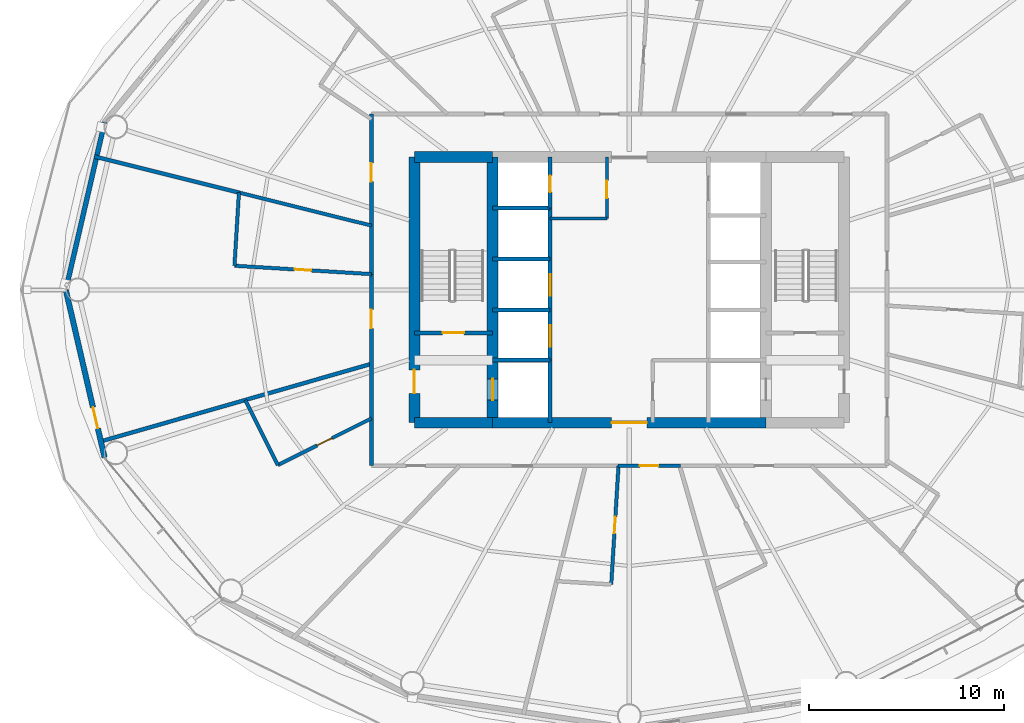
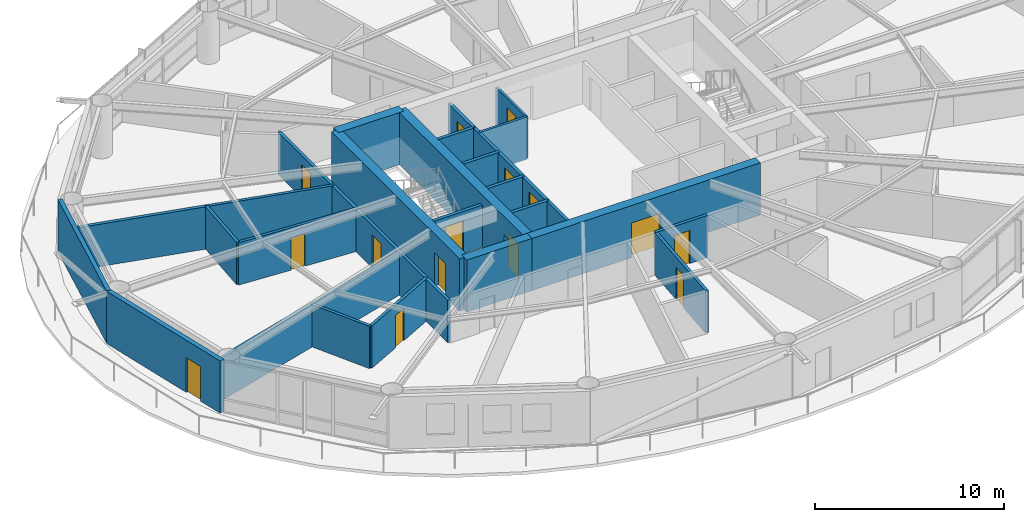
# One storey, part 18 of 24: 28 walls, 15 doors, 15 openings.
"""IFC4 building model written with IfcOpenShell, lengths in metres."""

from ifc_helpers import new_model, si_unit, direction, frame, frame_2d, origin, place, context, subcontext, project, spatial, rectangle, extrude, material, layer, layer_set, type_object, element, fill, save


model = new_model("IFC4")

# Units and contexts
model_context = context("Model", 3, precision=1e-05, world=origin(), true_north=direction((0.0, 1.0)))
body_context = subcontext(model_context, "Body", "Model", "MODEL_VIEW")
ifc_project = project(units=[si_unit("LENGTHUNIT", "METRE"), si_unit("AREAUNIT", "SQUARE_METRE"), si_unit("VOLUMEUNIT", "CUBIC_METRE"), si_unit("PLANEANGLEUNIT", "RADIAN"), si_unit("MASSUNIT", "GRAM", prefix="KILO")], contexts=[model_context])

# Site, building, storey
site_placement = place(None, origin())
site = spatial("IfcSite", under=ifc_project, at=site_placement, CompositionType="ELEMENT")
building_placement = place(site_placement, origin())
building = spatial("IfcBuilding", under=site, at=building_placement, Name="Sarneth Arch Tower", CompositionType="ELEMENT")
storey_placement = place(building_placement, frame((0.0, 0.0, 98.39990234375)))
storey = spatial("IfcBuildingStorey", under=building, at=storey_placement, Name="L24", CompositionType="ELEMENT", Elevation=98.39990234375)

# Wall
ifc_material_1 = material(Name="Concrete C60/75", Category="concrete")
ifc_layer_1 = layer(ifc_material_1, 0.550048828125)
ifc_layer_set_1 = layer_set([ifc_layer_1], Name="Concrete C60/75")
wall_type_1 = type_object("IfcWallType", Name="WALL-CORE-550", PredefinedType="SHEAR", material=ifc_layer_set_1)
wall_1_placement = place(storey_placement, frame((37.0, 35.199951171875, 0.0), z_axis=(0.0, 0.0, 1.0), x_axis=(1.0, 0.0, 0.0)))
element("IfcWall", 1, at=wall_1_placement, inside=storey, type_object=wall_type_1, Name="L24 Core shear wall S-W", PredefinedType="SHEAR", context=body_context, shape_type="SweptSolid", body=[
    extrude(rectangle(XDim=4.0, YDim=0.550048828125, at=frame_2d((2.0, 0.0))), origin(), (0.0, 0.0, 1.0), 3.380126953125),
])

# Wall, opening, door
wall_2_placement = place(storey_placement, frame((41.0, 35.199951171875, 0.0), z_axis=(0.0, 0.0, 1.0), x_axis=(1.0, 0.0, 0.0)))
wall_2 = element("IfcWall", 2, at=wall_2_placement, inside=storey, type_object=wall_type_1, Name="L24 Core shear wall S-M", PredefinedType="SHEAR", context=body_context, shape_type="SweptSolid", body=[
    extrude(rectangle(XDim=14.0, YDim=0.550048828125, at=frame_2d((7.0, 0.0))), origin(), (0.0, 0.0, 1.0), 3.380126953125),
])
opening_1_placement = place(wall_2_placement, frame((6.10009765625, 0.0, 0.0)))
opening_1 = element("IfcOpeningElement", 3, at=opening_1_placement, cuts=wall_2, Name="Opening FD-01", PredefinedType="OPENING", context=body_context, shape_type="SweptSolid", body=[
    extrude(rectangle(XDim=1.800048828125, YDim=2.25, at=frame_2d((0.89990234375, 1.125))), frame((0.0, 0.284912109375, 0.0), z_axis=(0.0, -1.0, 0.0), x_axis=(1.0, 0.0, 0.0)), (0.0, 0.0, 1.0), 0.570068359375),
])
ifc_material_2 = material(Name="Galvanised Steel S275 fire door set", Category="steel")
door_type_1 = type_object("IfcDoorType", Name="DR-FD90-1800", OperationType="DOUBLE_DOOR_SINGLE_SWING", PredefinedType="DOOR", material=ifc_material_2)
door_1_placement = place(opening_1_placement, origin())
door_1 = element("IfcDoor", 4, at=door_1_placement, inside=storey, type_object=door_type_1, Name="L24 Central lift lobby south door", OperationType="DOUBLE_DOOR_SINGLE_SWING", OverallHeight=2.25, OverallWidth=1.800048828125, PredefinedType="DOOR", context=body_context, shape_type="SweptSolid", body=[
    extrude(rectangle(XDim=1.800048828125, YDim=2.25, at=frame_2d((0.89990234375, 1.125))), frame((0.0, 0.02490234375, 0.0), z_axis=(0.0, -1.0, 0.0), x_axis=(1.0, 0.0, 0.0)), (0.0, 0.0, 1.0), 0.050048828125),
])
fill(opening_1, door_1)

# Wall
wall_3_placement = place(storey_placement, frame((37.0, 48.800048828125, 0.0), z_axis=(0.0, 0.0, 1.0), x_axis=(1.0, 0.0, 0.0)))
element("IfcWall", 5, at=wall_3_placement, inside=storey, type_object=wall_type_1, Name="L24 Core shear wall N-W", PredefinedType="SHEAR", context=body_context, shape_type="SweptSolid", body=[
    extrude(rectangle(XDim=4.0, YDim=0.550048828125, at=frame_2d((2.0, 0.0))), origin(), (0.0, 0.0, 1.0), 3.380126953125),
])

# Wall, opening, door
wall_4_placement = place(storey_placement, frame((37.0, 35.199951171875, 0.0), z_axis=(0.0, 0.0, 1.0), x_axis=(0.0, 1.0, 0.0)))
wall_4 = element("IfcWall", 6, at=wall_4_placement, inside=storey, type_object=wall_type_1, Name="L24 Core shear wall W", PredefinedType="SHEAR", context=body_context, shape_type="SweptSolid", body=[
    extrude(rectangle(XDim=13.60009765625, YDim=0.550048828125, at=frame_2d((6.800048828125, 0.0))), origin(), (0.0, 0.0, 1.0), 3.380126953125),
])
opening_2_placement = place(wall_4_placement, frame((1.5, 0.0, 0.0)))
opening_2 = element("IfcOpeningElement", 7, at=opening_2_placement, cuts=wall_4, Name="Opening FD-02", PredefinedType="OPENING", context=body_context, shape_type="SweptSolid", body=[
    extrude(rectangle(XDim=1.199951171875, YDim=2.14990234375, at=frame_2d((0.60009765625, 1.074951171875))), frame((0.0, 0.284912109375, 0.0), z_axis=(0.0, -1.0, 0.0), x_axis=(1.0, 0.0, 0.0)), (0.0, 0.0, 1.0), 0.570068359375),
])
ifc_material_3 = material(Name="Galvanised Steel S275 fire door set", Category="steel")
door_type_2 = type_object("IfcDoorType", Name="DR-FD90-1200", OperationType="SINGLE_SWING_LEFT", PredefinedType="DOOR", material=ifc_material_3)
door_2_placement = place(opening_2_placement, origin())
door_2 = element("IfcDoor", 8, at=door_2_placement, inside=storey, type_object=door_type_2, Name="L24 Firefighting lobby 1 exit door", OperationType="SINGLE_SWING_LEFT", OverallHeight=2.14990234375, OverallWidth=1.199951171875, PredefinedType="DOOR", context=body_context, shape_type="SweptSolid", body=[
    extrude(rectangle(XDim=1.199951171875, YDim=2.14990234375, at=frame_2d((0.60009765625, 1.074951171875))), frame((0.0, 0.02490234375, 0.0), z_axis=(0.0, -1.0, 0.0), x_axis=(1.0, 0.0, 0.0)), (0.0, 0.0, 1.0), 0.050048828125),
])
fill(opening_2, door_2)

wall_5_placement = place(storey_placement, frame((41.0, 35.199951171875, 0.0), z_axis=(0.0, 0.0, 1.0), x_axis=(0.0, 1.0, 0.0)))
wall_5 = element("IfcWall", 9, at=wall_5_placement, inside=storey, type_object=wall_type_1, Name="L24 Core shear wall WEB-W", PredefinedType="SHEAR", context=body_context, shape_type="SweptSolid", body=[
    extrude(rectangle(XDim=13.60009765625, YDim=0.550048828125, at=frame_2d((6.800048828125, 0.0))), origin(), (0.0, 0.0, 1.0), 3.380126953125),
])
opening_3_placement = place(wall_5_placement, frame((1.14990234375, 0.0, 0.0)))
opening_3 = element("IfcOpeningElement", 10, at=opening_3_placement, cuts=wall_5, Name="Opening LD-1", PredefinedType="OPENING", context=body_context, shape_type="SweptSolid", body=[
    extrude(rectangle(XDim=1.10009765625, YDim=2.199951171875, at=frame_2d((0.550048828125, 1.10009765625))), frame((0.0, 0.284912109375, 0.0), z_axis=(0.0, -1.0, 0.0), x_axis=(1.0, 0.0, 0.0)), (0.0, 0.0, 1.0), 0.570068359375),
])
ifc_material_4 = material(Name="Brushed Stainless Steel 304 lift landing door", Category="steel")
door_type_3 = type_object("IfcDoorType", Name="DR-LIFT-SLIDE-1100", OperationType="SLIDING_TO_LEFT", PredefinedType="DOOR", material=ifc_material_4)
door_3_placement = place(opening_3_placement, origin())
door_3 = element("IfcDoor", 11, at=door_3_placement, inside=storey, type_object=door_type_3, Name="L24 Firefighting lift landing door FL-1", OperationType="SLIDING_TO_LEFT", OverallHeight=2.199951171875, OverallWidth=1.10009765625, PredefinedType="DOOR", context=body_context, shape_type="SweptSolid", body=[
    extrude(rectangle(XDim=1.10009765625, YDim=2.199951171875, at=frame_2d((0.550048828125, 1.10009765625))), frame((0.0, 0.02490234375, 0.0), z_axis=(0.0, -1.0, 0.0), x_axis=(1.0, 0.0, 0.0)), (0.0, 0.0, 1.0), 0.050048828125),
])
fill(opening_3, door_3)

ifc_material_5 = material(Name="Double steel-stud corridor fire wall", Category="steel")
ifc_layer_2 = layer(ifc_material_5, 0.18994140625)
ifc_layer_set_2 = layer_set([ifc_layer_2], Name="Double steel-stud corridor fire wall")
wall_type_2 = type_object("IfcWallType", Name="WALL-CORR-190", PredefinedType="PARTITIONING", material=ifc_layer_set_2)
wall_6_placement = place(storey_placement, frame((34.800048828125, 42.775146484375, 0.0), z_axis=(0.0, 0.0, 1.0), x_axis=(0.0, 1.0, 0.0)))
wall_6 = element("IfcWall", 12, at=wall_6_placement, inside=storey, type_object=wall_type_2, Name="L24 Interior partition W-L24-TP-009", PredefinedType="PARTITIONING", context=body_context, shape_type="SweptSolid", body=[
    extrude(rectangle(XDim=8.224853515625, YDim=0.18994140625, at=frame_2d((4.1123046875, 0.0))), origin(), (0.0, 0.0, 1.0), 2.739990234375),
])
opening_4_placement = place(wall_6_placement, frame((4.7666015625, 0.0, 0.0)))
opening_4 = element("IfcOpeningElement", 13, at=opening_4_placement, cuts=wall_6, Name="Opening FD-09", PredefinedType="OPENING", context=body_context, shape_type="SweptSolid", body=[
    extrude(rectangle(XDim=0.949951171875, YDim=2.14990234375, at=frame_2d((0.47509765625, 1.074951171875))), frame((0.0, 0.10498046875, 0.0), z_axis=(0.0, -1.0, 0.0), x_axis=(1.0, 0.0, 0.0)), (0.0, 0.0, 1.0), 0.2099609375),
])
ifc_material_6 = material(Name="Hardwood timber hotel entrance fire door", Category="wood")
door_type_4 = type_object("IfcDoorType", Name="DR-FD60-950", OperationType="SINGLE_SWING_RIGHT", PredefinedType="DOOR", material=ifc_material_6)
door_4_placement = place(opening_4_placement, origin())
door_4 = element("IfcDoor", 14, at=door_4_placement, inside=storey, type_object=door_type_4, Name="L24 Interior door DR-L24-KEY-05", OperationType="SINGLE_SWING_LEFT", OverallHeight=2.14990234375, OverallWidth=0.949951171875, PredefinedType="DOOR", context=body_context, shape_type="SweptSolid", body=[
    extrude(rectangle(XDim=0.949951171875, YDim=2.14990234375, at=frame_2d((0.47509765625, 1.074951171875))), frame((0.0, 0.02490234375, 0.0), z_axis=(0.0, -1.0, 0.0), x_axis=(1.0, 0.0, 0.0)), (0.0, 0.0, 1.0), 0.050048828125),
])
fill(opening_4, door_4)

wall_7_placement = place(storey_placement, frame((34.800048828125, 33.0, 0.0), z_axis=(0.0, 0.0, 1.0), x_axis=(0.0, 1.0, 0.0)))
wall_7 = element("IfcWall", 15, at=wall_7_placement, inside=storey, type_object=wall_type_2, Name="L24 Interior partition W-L24-TP-012", PredefinedType="PARTITIONING", context=body_context, shape_type="SweptSolid", body=[
    extrude(rectangle(XDim=9.83935546875, YDim=0.18994140625, at=frame_2d((4.919677734375, 0.0))), origin(), (0.0, 0.0, 1.0), 2.739990234375),
])
opening_5_placement = place(wall_7_placement, frame((7.035400390625, 0.0, 0.0)))
opening_5 = element("IfcOpeningElement", 16, at=opening_5_placement, cuts=wall_7, Name="Opening FD-09", PredefinedType="OPENING", context=body_context, shape_type="SweptSolid", body=[
    extrude(rectangle(XDim=0.949951171875, YDim=2.14990234375, at=frame_2d((0.47509765625, 1.074951171875))), frame((0.0, 0.10498046875, 0.0), z_axis=(0.0, -1.0, 0.0), x_axis=(1.0, 0.0, 0.0)), (0.0, 0.0, 1.0), 0.2099609375),
])
door_5_placement = place(opening_5_placement, origin())
door_5 = element("IfcDoor", 17, at=door_5_placement, inside=storey, type_object=door_type_4, Name="L24 Interior door DR-L24-KEY-06", OperationType="SINGLE_SWING_RIGHT", OverallHeight=2.14990234375, OverallWidth=0.949951171875, PredefinedType="DOOR", context=body_context, shape_type="SweptSolid", body=[
    extrude(rectangle(XDim=0.949951171875, YDim=2.14990234375, at=frame_2d((0.47509765625, 1.074951171875))), frame((0.0, 0.02490234375, 0.0), z_axis=(0.0, -1.0, 0.0), x_axis=(1.0, 0.0, 0.0)), (0.0, 0.0, 1.0), 0.050048828125),
])
fill(opening_5, door_5)

wall_8_placement = place(storey_placement, frame((50.614013671875, 33.0, 0.0), z_axis=(0.0, 0.0, 1.0), x_axis=(-1.0, 0.0, 0.0)))
wall_8 = element("IfcWall", 18, at=wall_8_placement, inside=storey, type_object=wall_type_2, Name="L24 Interior partition W-L24-TP-018", PredefinedType="PARTITIONING", context=body_context, shape_type="SweptSolid", body=[
    extrude(rectangle(XDim=3.196533203125, YDim=0.18994140625, at=frame_2d((1.59814453125, 0.0))), origin(), (0.0, 0.0, 1.0), 2.739990234375),
])
opening_6_placement = place(wall_8_placement, frame((1.123291015625, 0.0, 0.0)))
opening_6 = element("IfcOpeningElement", 19, at=opening_6_placement, cuts=wall_8, Name="Opening FD-09", PredefinedType="OPENING", context=body_context, shape_type="SweptSolid", body=[
    extrude(rectangle(XDim=0.949951171875, YDim=2.14990234375, at=frame_2d((0.47509765625, 1.074951171875))), frame((0.0, 0.10498046875, 0.0), z_axis=(0.0, -1.0, 0.0), x_axis=(1.0, 0.0, 0.0)), (0.0, 0.0, 1.0), 0.2099609375),
])
door_6_placement = place(opening_6_placement, origin())
door_6 = element("IfcDoor", 20, at=door_6_placement, inside=storey, type_object=door_type_4, Name="L24 Interior door DR-L24-KEY-09", OperationType="SINGLE_SWING_RIGHT", OverallHeight=2.14990234375, OverallWidth=0.949951171875, PredefinedType="DOOR", context=body_context, shape_type="SweptSolid", body=[
    extrude(rectangle(XDim=0.949951171875, YDim=2.14990234375, at=frame_2d((0.47509765625, 1.074951171875))), frame((0.0, 0.02490234375, 0.0), z_axis=(0.0, -1.0, 0.0), x_axis=(1.0, 0.0, 0.0)), (0.0, 0.0, 1.0), 0.050048828125),
])
fill(opening_6, door_6)

# Wall
ifc_material_7 = material(Name="Extruded terracotta rainscreen on Concrete C40/50 backing", Category="masonry")
ifc_layer_3 = layer(ifc_material_7, 0.25)
ifc_layer_set_3 = layer_set([ifc_layer_3], Name="Extruded terracotta rainscreen on Concrete C40/50 backing")
wall_type_3 = type_object("IfcWallType", Name="WALL-EXT-SPAND-250", PredefinedType="SOLIDWALL", material=ifc_layer_set_3)
wall_9_placement = place(storey_placement, frame((21.138671875, 50.58349609375, 0.0), z_axis=(0.0, 0.0, 1.0), x_axis=(-0.22558597182, -0.974223264616, 0.0)))
element("IfcWall", 21, at=wall_9_placement, inside=storey, type_object=wall_type_3, Name="L24 Terracotta perimeter wall 08", PredefinedType="SOLIDWALL", context=body_context, shape_type="SweptSolid", body=[
    extrude(rectangle(XDim=8.810546875, YDim=0.25, at=frame_2d((4.4052734375, 0.0))), origin(), (0.0, 0.0, 1.0), 3.380126953125),
])

# Wall, opening, door
ifc_material_8 = material(Name="Extruded terracotta rainscreen on Concrete C40/50 backing", Category="masonry")
ifc_layer_4 = layer(ifc_material_8, 0.280029296875)
ifc_layer_set_4 = layer_set([ifc_layer_4], Name="Extruded terracotta rainscreen on Concrete C40/50 backing")
wall_type_4 = type_object("IfcWallType", Name="WALL-EXT-TERRA-280", PredefinedType="SOLIDWALL", material=ifc_layer_set_4)
wall_10_placement = place(storey_placement, frame((19.151123046875, 42.0, 0.0), z_axis=(0.0, 0.0, 1.0), x_axis=(0.22558597182, -0.974223264616, 0.0)))
wall_10 = element("IfcWall", 22, at=wall_10_placement, inside=storey, type_object=wall_type_4, Name="L24 Terracotta perimeter wall 09", PredefinedType="SOLIDWALL", context=body_context, shape_type="SweptSolid", body=[
    extrude(rectangle(XDim=8.810546875, YDim=0.280029296875, at=frame_2d((4.4052734375, 0.0))), origin(), (0.0, 0.0, 1.0), 3.380126953125),
])
opening_7_placement = place(wall_10_placement, frame((6.174560546875, 0.0, 0.0)))
opening_7 = element("IfcOpeningElement", 23, at=opening_7_placement, cuts=wall_10, Name="Opening BD-3", PredefinedType="OPENING", context=body_context, shape_type="SweptSolid", body=[
    extrude(rectangle(XDim=1.10009765625, YDim=2.25, at=frame_2d((0.550048828125, 1.125))), frame((0.0, 0.14990234375, 0.0), z_axis=(0.0, -1.0, 0.0), x_axis=(1.0, 0.0, 0.0)), (0.0, 0.0, 1.0), 0.300048828125),
])
ifc_material_9 = material(Name="Thermally broken Aluminium 6063-T6 and laminated safety glass", Category="aluminium")
door_type_5 = type_object("IfcDoorType", Name="DR-BALC-GLZ-1100", OperationType="SINGLE_SWING_LEFT", PredefinedType="DOOR", material=ifc_material_9)
door_7_placement = place(opening_7_placement, origin())
door_7 = element("IfcDoor", 24, at=door_7_placement, inside=storey, type_object=door_type_5, Name="L24 Balcony glazed door 09", OperationType="SINGLE_SWING_LEFT", OverallHeight=2.25, OverallWidth=1.10009765625, PredefinedType="DOOR", context=body_context, shape_type="SweptSolid", body=[
    extrude(rectangle(XDim=1.10009765625, YDim=2.25, at=frame_2d((0.550048828125, 1.125))), frame((0.0, 0.02490234375, 0.0), z_axis=(0.0, -1.0, 0.0), x_axis=(1.0, 0.0, 0.0)), (0.0, 0.0, 1.0), 0.050048828125),
])
fill(opening_7, door_7)

# Wall
ifc_material_10 = material(Name="Acoustic gypsum stud partition", Category="gypsum")
ifc_layer_5 = layer(ifc_material_10, 0.14990234375)
ifc_layer_set_5 = layer_set([ifc_layer_5], Name="Acoustic gypsum stud partition")
wall_type_5 = type_object("IfcWallType", Name="WALL-PART-150", PredefinedType="PARTITIONING", material=ifc_layer_set_5)
wall_11_placement = place(storey_placement, frame((43.949951171875, 45.64990234375, 0.0), z_axis=(0.0, 0.0, 1.0), x_axis=(1.0, 0.0, 0.0)))
element("IfcWall", 25, at=wall_11_placement, inside=storey, type_object=wall_type_5, Name="L24 Interior partition W-L24-CSUP1-S", PredefinedType="PARTITIONING", context=body_context, shape_type="SweptSolid", body=[
    extrude(rectangle(XDim=2.900146484375, YDim=0.14990234375, at=frame_2d((1.4501953125, 0.0))), origin(), (0.0, 0.0, 1.0), 2.739990234375),
])

# Wall, opening, door
wall_12_placement = place(storey_placement, frame((46.85009765625, 45.64990234375, 0.0), z_axis=(0.0, 0.0, 1.0), x_axis=(0.0, 1.0, 0.0)))
wall_12 = element("IfcWall", 26, at=wall_12_placement, inside=storey, type_object=wall_type_5, Name="L24 Interior partition W-L24-CSUP1-E", PredefinedType="PARTITIONING", context=body_context, shape_type="SweptSolid", body=[
    extrude(rectangle(XDim=3.150146484375, YDim=0.14990234375, at=frame_2d((1.5751953125, 0.0))), origin(), (0.0, 0.0, 1.0), 2.739990234375),
])
opening_8_placement = place(wall_12_placement, frame((1.050048828125, 0.0, 0.0)))
opening_8 = element("IfcOpeningElement", 27, at=opening_8_placement, cuts=wall_12, Name="Opening FD-10", PredefinedType="OPENING", context=body_context, shape_type="SweptSolid", body=[
    extrude(rectangle(XDim=0.89990234375, YDim=2.14990234375, at=frame_2d((0.449951171875, 1.074951171875))), frame((0.0, 0.0849609375, 0.0), z_axis=(0.0, -1.0, 0.0), x_axis=(1.0, 0.0, 0.0)), (0.0, 0.0, 1.0), 0.169921875),
])
ifc_material_11 = material(Name="Galvanised Steel S275 riser/service fire door", Category="steel")
door_type_6 = type_object("IfcDoorType", Name="DR-FD60-900", OperationType="SINGLE_SWING_LEFT", PredefinedType="DOOR", material=ifc_material_11)
door_8_placement = place(opening_8_placement, origin())
door_8 = element("IfcDoor", 28, at=door_8_placement, inside=storey, type_object=door_type_6, Name="L24 Interior door DR-L24-CSUP1", OperationType="SINGLE_SWING_LEFT", OverallHeight=2.14990234375, OverallWidth=0.89990234375, PredefinedType="DOOR", context=body_context, shape_type="SweptSolid", body=[
    extrude(rectangle(XDim=0.89990234375, YDim=2.14990234375, at=frame_2d((0.449951171875, 1.074951171875))), frame((0.0, 0.02490234375, 0.0), z_axis=(0.0, -1.0, 0.0), x_axis=(1.0, 0.0, 0.0)), (0.0, 0.0, 1.0), 0.050048828125),
])
fill(opening_8, door_8)

ifc_material_12 = material(Name="Moisture-resistant plumbing chase wall", Category="gypsum")
ifc_layer_6 = layer(ifc_material_12, 0.179931640625)
ifc_layer_set_6 = layer_set([ifc_layer_6], Name="Moisture-resistant plumbing chase wall")
wall_type_6 = type_object("IfcWallType", Name="WALL-PLUMB-180", PredefinedType="PLUMBINGWALL", material=ifc_layer_set_6)
wall_13_placement = place(storey_placement, frame((34.800048828125, 42.807373046875, 0.0), z_axis=(0.0, 0.0, 1.0), x_axis=(-0.998134708281, 0.061050013314, 0.0)))
wall_13 = element("IfcWall", 29, at=wall_13_placement, inside=storey, type_object=wall_type_6, Name="L24 Interior partition W-L24-TP-046", PredefinedType="PLUMBINGWALL", context=body_context, shape_type="SweptSolid", body=[
    extrude(rectangle(XDim=7.0263671875, YDim=0.179931640625, at=frame_2d((3.51318359375, 0.0))), origin(), (0.0, 0.0, 1.0), 2.739990234375),
])
opening_9_placement = place(wall_13_placement, frame((3.088134765625, 0.0, 0.0)))
opening_9 = element("IfcOpeningElement", 30, at=opening_9_placement, cuts=wall_13, Name="Opening ID-02", PredefinedType="OPENING", context=body_context, shape_type="SweptSolid", body=[
    extrude(rectangle(XDim=0.85009765625, YDim=2.10009765625, at=frame_2d((0.425048828125, 1.050048828125))), frame((0.0, 0.099853515625, 0.0), z_axis=(0.0, -1.0, 0.0), x_axis=(1.0, 0.0, 0.0)), (0.0, 0.0, 1.0), 0.199951171875),
])
ifc_material_13 = material(Name="Moisture-resistant bathroom timber door", Category="wood")
door_type_7 = type_object("IfcDoorType", Name="DR-INT-850", OperationType="SINGLE_SWING_RIGHT", PredefinedType="DOOR", material=ifc_material_13)
door_9_placement = place(opening_9_placement, origin())
door_9 = element("IfcDoor", 31, at=door_9_placement, inside=storey, type_object=door_type_7, Name="L24 Interior door DR-L24-ENS-06", OperationType="SINGLE_SWING_RIGHT", OverallHeight=2.10009765625, OverallWidth=0.85009765625, PredefinedType="DOOR", context=body_context, shape_type="SweptSolid", body=[
    extrude(rectangle(XDim=0.85009765625, YDim=2.10009765625, at=frame_2d((0.425048828125, 1.050048828125))), frame((0.0, 0.02490234375, 0.0), z_axis=(0.0, -1.0, 0.0), x_axis=(1.0, 0.0, 0.0)), (0.0, 0.0, 1.0), 0.050048828125),
])
fill(opening_9, door_9)

# Wall
wall_14_placement = place(storey_placement, frame((28.015869140625, 46.982666015625, 0.0), z_axis=(0.0, 0.0, 1.0), x_axis=(0.970290206094, -0.241944034764, 0.0)))
element("IfcWall", 32, at=wall_14_placement, inside=storey, type_object=wall_type_6, Name="L24 Interior partition W-L24-TP-045", PredefinedType="PLUMBINGWALL", context=body_context, shape_type="SweptSolid", body=[
    extrude(rectangle(XDim=6.991943359375, YDim=0.179931640625, at=frame_2d((3.49609375, 0.0))), origin(), (0.0, 0.0, 1.0), 2.739990234375),
])

# Wall, opening, door
wall_15_placement = place(storey_placement, frame((47.077392578125, 26.916259765625, 0.0), z_axis=(0.0, 0.0, 1.0), x_axis=(0.061044096749, 0.998135070144, 0.0)))
wall_15 = element("IfcWall", 33, at=wall_15_placement, inside=storey, type_object=wall_type_6, Name="L24 Interior partition W-L24-TP-056", PredefinedType="PLUMBINGWALL", context=body_context, shape_type="SweptSolid", body=[
    extrude(rectangle(XDim=6.09521484375, YDim=0.179931640625, at=frame_2d((3.047607421875, 0.0))), origin(), (0.0, 0.0, 1.0), 2.739990234375),
])
opening_10_placement = place(wall_15_placement, frame((2.62255859375, 0.0, 0.0)))
opening_10 = element("IfcOpeningElement", 34, at=opening_10_placement, cuts=wall_15, Name="Opening ID-02", PredefinedType="OPENING", context=body_context, shape_type="SweptSolid", body=[
    extrude(rectangle(XDim=0.85009765625, YDim=2.10009765625, at=frame_2d((0.425048828125, 1.050048828125))), frame((0.0, 0.099853515625, 0.0), z_axis=(0.0, -1.0, 0.0), x_axis=(1.0, 0.0, 0.0)), (0.0, 0.0, 1.0), 0.199951171875),
])
door_10_placement = place(opening_10_placement, origin())
door_10 = element("IfcDoor", 35, at=door_10_placement, inside=storey, type_object=door_type_7, Name="L24 Interior door DR-L24-ENS-09", OperationType="SINGLE_SWING_LEFT", OverallHeight=2.10009765625, OverallWidth=0.85009765625, PredefinedType="DOOR", context=body_context, shape_type="SweptSolid", body=[
    extrude(rectangle(XDim=0.85009765625, YDim=2.10009765625, at=frame_2d((0.425048828125, 1.050048828125))), frame((0.0, 0.02490234375, 0.0), z_axis=(0.0, -1.0, 0.0), x_axis=(1.0, 0.0, 0.0)), (0.0, 0.0, 1.0), 0.050048828125),
])
fill(opening_10, door_10)

wall_16_placement = place(storey_placement, frame((30.002197265625, 33.026611328125, 0.0), z_axis=(0.0, 0.0, 1.0), x_axis=(0.894936648514, 0.446193226244, 0.0)))
wall_16 = element("IfcWall", 36, at=wall_16_placement, inside=storey, type_object=wall_type_6, Name="L24 Interior partition W-L24-TP-051", PredefinedType="PLUMBINGWALL", context=body_context, shape_type="SweptSolid", body=[
    extrude(rectangle(XDim=5.361083984375, YDim=0.179931640625, at=frame_2d((2.6806640625, 0.0))), origin(), (0.0, 0.0, 1.0), 2.739990234375),
])
opening_11_placement = place(wall_16_placement, frame((2.255615234375, 0.0, 0.0)))
opening_11 = element("IfcOpeningElement", 37, at=opening_11_placement, cuts=wall_16, Name="Opening ID-02", PredefinedType="OPENING", context=body_context, shape_type="SweptSolid", body=[
    extrude(rectangle(XDim=0.85009765625, YDim=2.10009765625, at=frame_2d((0.425048828125, 1.050048828125))), frame((0.0, 0.099853515625, 0.0), z_axis=(0.0, -1.0, 0.0), x_axis=(1.0, 0.0, 0.0)), (0.0, 0.0, 1.0), 0.199951171875),
])
door_11_placement = place(opening_11_placement, origin())
door_11 = element("IfcDoor", 38, at=door_11_placement, inside=storey, type_object=door_type_7, Name="L24 Interior door DR-L24-ENS-07", OperationType="SINGLE_SWING_RIGHT", OverallHeight=2.10009765625, OverallWidth=0.85009765625, PredefinedType="DOOR", context=body_context, shape_type="SweptSolid", body=[
    extrude(rectangle(XDim=0.85009765625, YDim=2.10009765625, at=frame_2d((0.425048828125, 1.050048828125))), frame((0.0, 0.02490234375, 0.0), z_axis=(0.0, -1.0, 0.0), x_axis=(1.0, 0.0, 0.0)), (0.0, 0.0, 1.0), 0.050048828125),
])
fill(opening_11, door_11)

# Walls
wall_17_placement = place(storey_placement, frame((27.786865234375, 43.236328125, 0.0), z_axis=(0.0, 0.0, 1.0), x_axis=(0.061013519028, 0.998136939751, 0.0)))
element("IfcWall", 39, at=wall_17_placement, inside=storey, type_object=wall_type_6, Name="L24 Interior partition W-L24-TP-047", PredefinedType="PLUMBINGWALL", context=body_context, shape_type="SweptSolid", body=[
    extrude(rectangle(XDim=3.75341796875, YDim=0.179931640625, at=frame_2d((1.876708984375, 0.0))), origin(), (0.0, 0.0, 1.0), 2.739990234375),
])
wall_18_placement = place(storey_placement, frame((28.3388671875, 36.3623046875, 0.0), z_axis=(0.0, 0.0, 1.0), x_axis=(0.446243949247, -0.894911357488, 0.0)))
element("IfcWall", 40, at=wall_18_placement, inside=storey, type_object=wall_type_6, Name="L24 Interior partition W-L24-TP-050", PredefinedType="PLUMBINGWALL", context=body_context, shape_type="SweptSolid", body=[
    extrude(rectangle(XDim=3.727294921875, YDim=0.179931640625, at=frame_2d((1.86376953125, 0.0))), origin(), (0.0, 0.0, 1.0), 2.739990234375),
])

# Wall, opening, door
ifc_material_14 = material(Name="Aerated concrete blockwork C25/30", Category="masonry")
ifc_layer_7 = layer(ifc_material_14, 0.199951171875)
ifc_layer_set_7 = layer_set([ifc_layer_7], Name="Aerated concrete blockwork C25/30")
wall_type_7 = type_object("IfcWallType", Name="WALL-SHAFT-200", PredefinedType="SOLIDWALL", material=ifc_layer_set_7)
wall_19_placement = place(storey_placement, frame((37.0, 39.800048828125, 0.0), z_axis=(0.0, 0.0, 1.0), x_axis=(1.0, 0.0, 0.0)))
wall_19 = element("IfcWall", 41, at=wall_19_placement, inside=storey, type_object=wall_type_7, Name="L24 Interior partition W-L24-ST1-S", PredefinedType="SOLIDWALL", context=body_context, shape_type="SweptSolid", body=[
    extrude(rectangle(XDim=4.0, YDim=0.199951171875, at=frame_2d((2.0, 0.0))), origin(), (0.0, 0.0, 1.0), 2.739990234375),
])
opening_12_placement = place(wall_19_placement, frame((1.449951171875, 0.0, 0.0)))
opening_12 = element("IfcOpeningElement", 42, at=opening_12_placement, cuts=wall_19, Name="Opening FD-03", PredefinedType="OPENING", context=body_context, shape_type="SweptSolid", body=[
    extrude(rectangle(XDim=1.10009765625, YDim=2.14990234375, at=frame_2d((0.550048828125, 1.074951171875))), frame((0.0, 0.10986328125, 0.0), z_axis=(0.0, -1.0, 0.0), x_axis=(1.0, 0.0, 0.0)), (0.0, 0.0, 1.0), 0.219970703125),
])
ifc_material_15 = material(Name="Galvanised Steel S275 fire door set", Category="steel")
door_type_8 = type_object("IfcDoorType", Name="DR-FD90-1100", OperationType="SINGLE_SWING_LEFT", PredefinedType="DOOR", material=ifc_material_15)
door_12_placement = place(opening_12_placement, origin())
door_12 = element("IfcDoor", 43, at=door_12_placement, inside=storey, type_object=door_type_8, Name="L24 Interior door DR-L24-ST1", OperationType="SINGLE_SWING_LEFT", OverallHeight=2.14990234375, OverallWidth=1.10009765625, PredefinedType="DOOR", context=body_context, shape_type="SweptSolid", body=[
    extrude(rectangle(XDim=1.10009765625, YDim=2.14990234375, at=frame_2d((0.550048828125, 1.074951171875))), frame((0.0, 0.02490234375, 0.0), z_axis=(0.0, -1.0, 0.0), x_axis=(1.0, 0.0, 0.0)), (0.0, 0.0, 1.0), 0.050048828125),
])
fill(opening_12, door_12)

# Walls
wall_20_placement = place(storey_placement, frame((43.949951171875, 35.199951171875, 0.0), z_axis=(0.0, 0.0, 1.0), x_axis=(0.0, 1.0, 0.0)))
element("IfcWall", 44, at=wall_20_placement, inside=storey, type_object=wall_type_7, Name="L24 Interior partition W-L24-FL1-E", PredefinedType="SOLIDWALL", context=body_context, shape_type="SweptSolid", body=[
    extrude(rectangle(XDim=3.199951171875, YDim=0.199951171875, at=frame_2d((1.60009765625, 0.0))), origin(), (0.0, 0.0, 1.0), 2.739990234375),
])
for number, where, z_axis, x_axis, name in (
    (45, (41.0, 38.39990234375, 0.0), (0.0, 0.0, 1.0), (1.0, 0.0, 0.0), "L24 Interior partition W-L24-FL1-N"),
    (46, (41.0, 46.199951171875, 0.0), (0.0, 0.0, 1.0), (1.0, 0.0, 0.0), "L24 Interior partition W-L24-RISER-S"),
):
    element("IfcWall", number, at=place(storey_placement, frame(where, z_axis=z_axis, x_axis=x_axis)), inside=storey, type_object=wall_type_7, Name=name, PredefinedType="SOLIDWALL", context=body_context, shape_type="SweptSolid", body=[
        extrude(rectangle(XDim=2.949951171875, YDim=0.199951171875, at=frame_2d((1.47509765625, 0.0))), origin(), (0.0, 0.0, 1.0), 2.739990234375),
    ])

# Wall, opening, door
wall_21_placement = place(storey_placement, frame((43.949951171875, 46.199951171875, 0.0), z_axis=(0.0, 0.0, 1.0), x_axis=(0.0, 1.0, 0.0)))
wall_21 = element("IfcWall", 47, at=wall_21_placement, inside=storey, type_object=wall_type_7, Name="L24 Interior partition W-L24-RISER-E", PredefinedType="SOLIDWALL", context=body_context, shape_type="SweptSolid", body=[
    extrude(rectangle(XDim=2.60009765625, YDim=0.199951171875, at=frame_2d((1.300048828125, 0.0))), origin(), (0.0, 0.0, 1.0), 2.739990234375),
])
opening_13_placement = place(wall_21_placement, frame((0.800048828125, 0.0, 0.0)))
opening_13 = element("IfcOpeningElement", 48, at=opening_13_placement, cuts=wall_21, Name="Opening FD-11", PredefinedType="OPENING", context=body_context, shape_type="SweptSolid", body=[
    extrude(rectangle(XDim=0.85009765625, YDim=2.14990234375, at=frame_2d((0.425048828125, 1.074951171875))), frame((0.0, 0.10986328125, 0.0), z_axis=(0.0, -1.0, 0.0), x_axis=(1.0, 0.0, 0.0)), (0.0, 0.0, 1.0), 0.219970703125),
])
ifc_material_16 = material(Name="Galvanised Steel S275 closet fire door", Category="steel")
door_type_9 = type_object("IfcDoorType", Name="DR-FD60-850", OperationType="SINGLE_SWING_LEFT", PredefinedType="DOOR", material=ifc_material_16)
door_13_placement = place(opening_13_placement, origin())
door_13 = element("IfcDoor", 49, at=door_13_placement, inside=storey, type_object=door_type_9, Name="L24 Lift landing door DR-L24-RISER", OperationType="SINGLE_SWING_LEFT", OverallHeight=2.14990234375, OverallWidth=0.85009765625, PredefinedType="DOOR", context=body_context, shape_type="SweptSolid", body=[
    extrude(rectangle(XDim=0.85009765625, YDim=2.14990234375, at=frame_2d((0.425048828125, 1.074951171875))), frame((0.0, 0.02490234375, 0.0), z_axis=(0.0, -1.0, 0.0), x_axis=(1.0, 0.0, 0.0)), (0.0, 0.0, 1.0), 0.050048828125),
])
fill(opening_13, door_13)

# Wall, openings, doors
wall_22_placement = place(storey_placement, frame((43.949951171875, 38.39990234375, 0.0), z_axis=(0.0, 0.0, 1.0), x_axis=(0.0, 1.0, 0.0)))
wall_22 = element("IfcWall", 50, at=wall_22_placement, inside=storey, type_object=wall_type_7, Name="L24 Interior partition W-L24-WESTBANK-FRONT", PredefinedType="SOLIDWALL", context=body_context, shape_type="SweptSolid", body=[
    extrude(rectangle(XDim=7.800048828125, YDim=0.199951171875, at=frame_2d((3.89990234375, 0.0))), origin(), (0.0, 0.0, 1.0), 2.739990234375),
])
opening_14_placement = place(wall_22_placement, frame((0.699951171875, 0.0, 0.0)))
opening_14 = element("IfcOpeningElement", 51, at=opening_14_placement, cuts=wall_22, Name="Opening LD-1", PredefinedType="OPENING", context=body_context, shape_type="SweptSolid", body=[
    extrude(rectangle(XDim=1.10009765625, YDim=2.199951171875, at=frame_2d((0.550048828125, 1.10009765625))), frame((0.0, 0.10986328125, 0.0), z_axis=(0.0, -1.0, 0.0), x_axis=(1.0, 0.0, 0.0)), (0.0, 0.0, 1.0), 0.219970703125),
])
opening_15_placement = place(wall_22_placement, frame((3.300048828125, 0.0, 0.0)))
opening_15 = element("IfcOpeningElement", 52, at=opening_15_placement, cuts=wall_22, Name="Opening LD-1", PredefinedType="OPENING", context=body_context, shape_type="SweptSolid", body=[
    extrude(rectangle(XDim=1.10009765625, YDim=2.199951171875, at=frame_2d((0.550048828125, 1.10009765625))), frame((0.0, 0.10986328125, 0.0), z_axis=(0.0, -1.0, 0.0), x_axis=(1.0, 0.0, 0.0)), (0.0, 0.0, 1.0), 0.219970703125),
])
door_14_placement = place(opening_14_placement, origin())
door_14 = element("IfcDoor", 53, at=door_14_placement, inside=storey, type_object=door_type_3, Name="L24 Lift landing door DR-L24-LD-PL1", OperationType="SLIDING_TO_LEFT", OverallHeight=2.199951171875, OverallWidth=1.10009765625, PredefinedType="DOOR", context=body_context, shape_type="SweptSolid", body=[
    extrude(rectangle(XDim=1.10009765625, YDim=2.199951171875, at=frame_2d((0.550048828125, 1.10009765625))), frame((0.0, 0.02490234375, 0.0), z_axis=(0.0, -1.0, 0.0), x_axis=(1.0, 0.0, 0.0)), (0.0, 0.0, 1.0), 0.050048828125),
])
fill(opening_14, door_14)
door_15_placement = place(opening_15_placement, origin())
door_15 = element("IfcDoor", 54, at=door_15_placement, inside=storey, type_object=door_type_3, Name="L24 Lift landing door DR-L24-LD-PL2", OperationType="SLIDING_TO_RIGHT", OverallHeight=2.199951171875, OverallWidth=1.10009765625, PredefinedType="DOOR", context=body_context, shape_type="SweptSolid", body=[
    extrude(rectangle(XDim=1.10009765625, YDim=2.199951171875, at=frame_2d((0.550048828125, 1.10009765625))), frame((0.0, 0.02490234375, 0.0), z_axis=(0.0, -1.0, 0.0), x_axis=(1.0, 0.0, 0.0)), (0.0, 0.0, 1.0), 0.050048828125),
])
fill(opening_15, door_15)

# Walls
for number, where, z_axis, x_axis, name in (
    (55, (41.0, 40.97998046875, 0.0), (0.0, 0.0, 1.0), (1.0, 0.0, 0.0), "L24 Interior partition W-L24-WB-DIV-4098"),
    (56, (41.0, 43.580078125, 0.0), (0.0, 0.0, 1.0), (1.0, 0.0, 0.0), "L24 Interior partition W-L24-WB-DIV-4358"),
):
    element("IfcWall", number, at=place(storey_placement, frame(where, z_axis=z_axis, x_axis=x_axis)), inside=storey, type_object=wall_type_7, Name=name, PredefinedType="SOLIDWALL", context=body_context, shape_type="SweptSolid", body=[
        extrude(rectangle(XDim=2.949951171875, YDim=0.199951171875, at=frame_2d((1.47509765625, 0.0))), origin(), (0.0, 0.0, 1.0), 2.739990234375),
    ])
ifc_material_17 = material(Name="Double steel-stud acoustic drywall", Category="steel")
ifc_layer_8 = layer(ifc_material_17, 0.199951171875)
ifc_layer_set_8 = layer_set([ifc_layer_8], Name="Double steel-stud acoustic drywall")
wall_type_8 = type_object("IfcWallType", Name="WALL-UNIT-200", PredefinedType="PARTITIONING", material=ifc_layer_set_8)
wall_23_placement = place(storey_placement, frame((34.800048828125, 38.215087890625, 0.0), z_axis=(0.0, 0.0, 1.0), x_axis=(-0.961261030421, -0.275639676741, 0.0)))
element("IfcWall", 57, at=wall_23_placement, inside=storey, type_object=wall_type_8, Name="L24 Interior partition W-L24-TP-048", PredefinedType="PARTITIONING", context=body_context, shape_type="SweptSolid", body=[
    extrude(rectangle(XDim=14.53125, YDim=0.199951171875, at=frame_2d((7.265625, 0.0))), origin(), (0.0, 0.0, 1.0), 2.739990234375),
])
wall_24_placement = place(storey_placement, frame((20.609375, 48.8291015625, 0.0), z_axis=(0.0, 0.0, 1.0), x_axis=(0.970302209845, -0.241895889938, 0.0)))
element("IfcWall", 58, at=wall_24_placement, inside=storey, type_object=wall_type_8, Name="L24 Interior partition W-L24-TP-044", PredefinedType="PARTITIONING", context=body_context, shape_type="SweptSolid", body=[
    extrude(rectangle(XDim=7.63330078125, YDim=0.199951171875, at=frame_2d((3.816650390625, 0.0))), origin(), (0.0, 0.0, 1.0), 2.739990234375),
])

save(model, "model.ifc")
